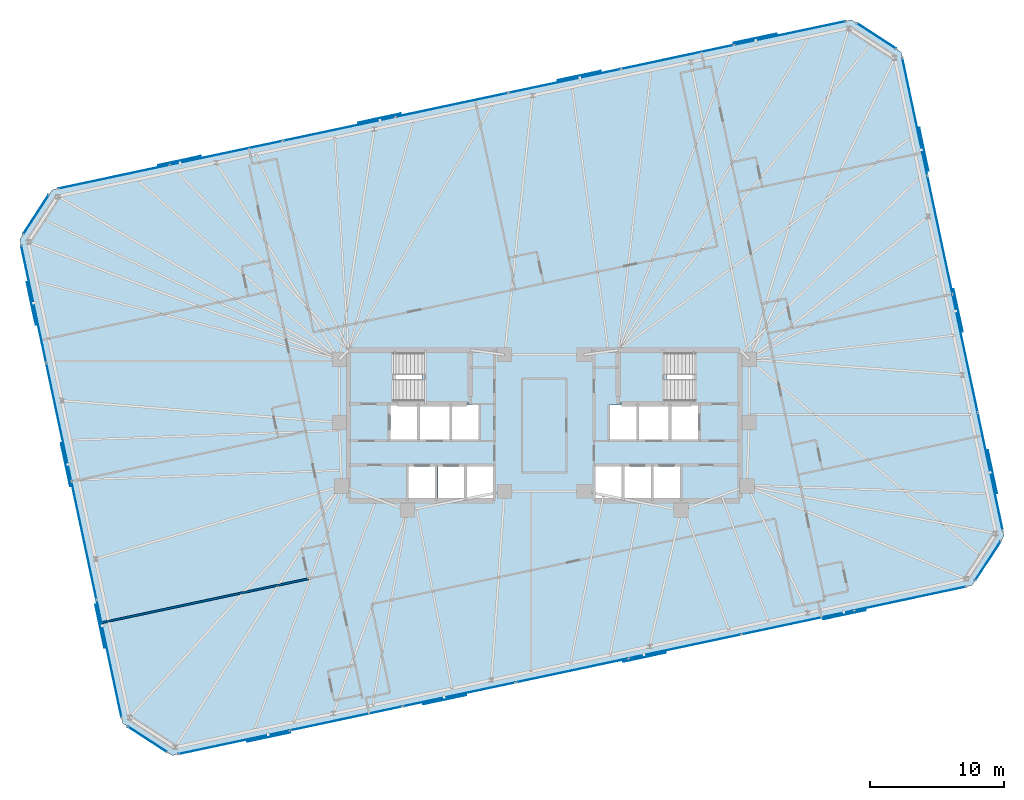
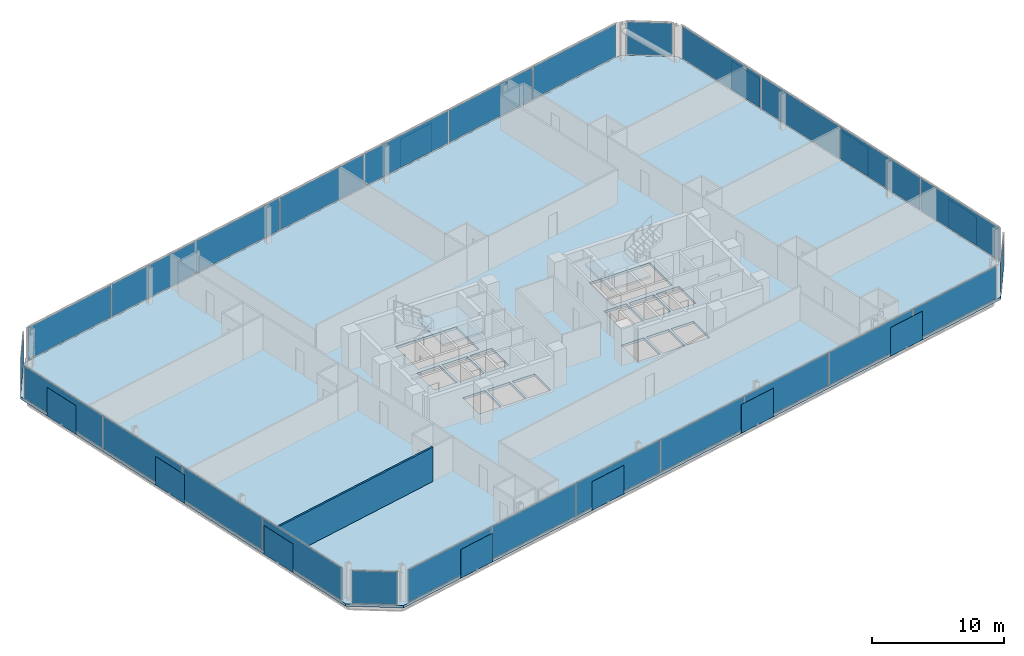
# One storey, part 13 of 19: 40 plates, 3 slabs, 1 wall, 10 elements without a shape of their own.
"""IFC4 building model written with IfcOpenShell, lengths in metres."""

from ifc_helpers import new_model, si_unit, direction, frame, frame_2d, origin, origin_2d, place, context, subcontext, project, spatial, polyline, rectangle, outline, extrude, material, layer, layer_set, type_object, element, aggregate, save


model = new_model("IFC4")

# Units and contexts
model_context = context("Model", 3, precision=1e-05, world=origin(), true_north=direction((0.0, 1.0)))
body_context = subcontext(model_context, "Body", "Model", "MODEL_VIEW")
ifc_project = project(units=[si_unit("LENGTHUNIT", "METRE"), si_unit("AREAUNIT", "SQUARE_METRE"), si_unit("VOLUMEUNIT", "CUBIC_METRE"), si_unit("PLANEANGLEUNIT", "RADIAN"), si_unit("MASSUNIT", "GRAM", prefix="KILO")], contexts=[model_context])

# Site, building, storey
site_placement = place(None, origin())
site = spatial("IfcSite", under=ifc_project, at=site_placement, CompositionType="ELEMENT")
building_placement = place(site_placement, origin())
building = spatial("IfcBuilding", under=site, at=building_placement, Name="Menara Jurai Vektor", CompositionType="ELEMENT")
storey_placement = place(building_placement, frame((0.0, 0.0, 171.800048828125)))
storey = spatial("IfcBuildingStorey", under=building, at=storey_placement, Name="L44", CompositionType="ELEMENT", Elevation=171.800048828125)

# Curtain wall, plates
ifc_material_1 = material(Name="Anodised Pale Aluminium & Low-E Double Glazing", Category="aluminium")
curtain_wall_type = type_object("IfcCurtainWallType", Name="CW-BLK3", PredefinedType="NOTDEFINED", material=ifc_material_1)
curtain_wall_1_placement = place(storey_placement, origin())
curtain_wall_1 = element("IfcCurtainWall", 1, at=curtain_wall_1_placement, inside=storey, type_object=curtain_wall_type, Name="Unitised Curtain Wall L44 F01", PredefinedType="NOTDEFINED")
ifc_material_2 = material(Name="Low-E Solar-Control Double Glazed Unit", Category="glass")
ifc_layer_1 = layer(ifc_material_2, 0.031982421875)
ifc_layer_set_1 = layer_set([ifc_layer_1], Name="Low-E Solar-Control Double Glazed Unit")
plate_type_1 = type_object("IfcPlateType", Name="CW-BLK3-PNL", PredefinedType="CURTAIN_PANEL", material=ifc_layer_set_1)
plate_1_placement = place(storey_placement, frame((-23.078369140625, -23.57568359375, 0.0849609375), z_axis=(0.0, 0.0, 1.0), x_axis=(0.978147674419, 0.207911344156, 0.0)))
plate_1 = element("IfcPlate", 2, at=plate_1_placement, type_object=plate_type_1, Name="CW-03 panel 1.1", PredefinedType="CURTAIN_PANEL", context=body_context, shape_type="SweptSolid", body=[
    extrude(rectangle(XDim=8.44970703125, YDim=0.031982421875, at=origin_2d()), origin(), (0.0, 0.0, 1.0), 3.0048828125),
])
plate_2_placement = place(storey_placement, frame((-14.709228515625, -21.796875, 0.0849609375), z_axis=(0.0, 0.0, 1.0), x_axis=(0.978147674419, 0.207911344156, 0.0)))
plate_2 = element("IfcPlate", 3, at=plate_2_placement, type_object=plate_type_1, Name="CW-03 panel 2.1", PredefinedType="CURTAIN_PANEL", context=body_context, shape_type="SweptSolid", body=[
    extrude(rectangle(XDim=8.4921875, YDim=0.031982421875, at=origin_2d()), origin(), (0.0, 0.0, 1.0), 3.0048828125),
])
plate_3_placement = place(storey_placement, frame((-6.319580078125, -20.013427734375, 0.0849609375), z_axis=(0.0, 0.0, 1.0), x_axis=(0.978147674419, 0.207911344156, 0.0)))
plate_3 = element("IfcPlate", 4, at=plate_3_placement, type_object=plate_type_1, Name="CW-03 panel 3.1", PredefinedType="CURTAIN_PANEL", context=body_context, shape_type="SweptSolid", body=[
    extrude(rectangle(XDim=8.4921875, YDim=0.031982421875, at=origin_2d()), origin(), (0.0, 0.0, 1.0), 3.0048828125),
])
plate_4_placement = place(storey_placement, frame((2.070068359375, -18.230224609375, 0.0849609375), z_axis=(0.0, 0.0, 1.0), x_axis=(0.978147674419, 0.207911344156, 0.0)))
plate_4 = element("IfcPlate", 5, at=plate_4_placement, type_object=plate_type_1, Name="CW-03 panel 4.1", PredefinedType="CURTAIN_PANEL", context=body_context, shape_type="SweptSolid", body=[
    extrude(rectangle(XDim=8.4921875, YDim=0.031982421875, at=origin_2d()), origin(), (0.0, 0.0, 1.0), 3.0048828125),
])
plate_5_placement = place(storey_placement, frame((10.459716796875, -16.447021484375, 0.0849609375), z_axis=(0.0, 0.0, 1.0), x_axis=(0.978147674419, 0.207911344156, 0.0)))
plate_5 = element("IfcPlate", 6, at=plate_5_placement, type_object=plate_type_1, Name="CW-03 panel 5.1", PredefinedType="CURTAIN_PANEL", context=body_context, shape_type="SweptSolid", body=[
    extrude(rectangle(XDim=8.4921875, YDim=0.031982421875, at=origin_2d()), origin(), (0.0, 0.0, 1.0), 3.0048828125),
])
plate_6_placement = place(storey_placement, frame((18.849609375, -14.66357421875, 0.0849609375), z_axis=(0.0, 0.0, 1.0), x_axis=(0.978147674419, 0.207911344156, 0.0)))
plate_6 = element("IfcPlate", 7, at=plate_6_placement, type_object=plate_type_1, Name="CW-03 panel 6.1", PredefinedType="CURTAIN_PANEL", context=body_context, shape_type="SweptSolid", body=[
    extrude(rectangle(XDim=8.4921875, YDim=0.031982421875, at=origin_2d()), origin(), (0.0, 0.0, 1.0), 3.0048828125),
])
plate_7_placement = place(storey_placement, frame((27.218505859375, -12.884765625, 0.0849609375), z_axis=(0.0, 0.0, 1.0), x_axis=(0.978147674419, 0.207911344156, 0.0)))
plate_7 = element("IfcPlate", 8, at=plate_7_placement, type_object=plate_type_1, Name="CW-03 panel 7.1", PredefinedType="CURTAIN_PANEL", context=body_context, shape_type="SweptSolid", body=[
    extrude(rectangle(XDim=8.44970703125, YDim=0.031982421875, at=origin_2d()), origin(), (0.0, 0.0, 1.0), 3.0048828125),
])
aggregate(curtain_wall_1, [plate_1, plate_2, plate_3, plate_4, plate_5, plate_6, plate_7])

curtain_wall_2_placement = place(storey_placement, origin())
curtain_wall_2 = element("IfcCurtainWall", 9, at=curtain_wall_2_placement, inside=storey, type_object=curtain_wall_type, Name="Unitised Curtain Wall L44 F03", PredefinedType="NOTDEFINED")
plate_8_placement = place(storey_placement, frame((33.17333984375, -3.433837890625, 0.0849609375), z_axis=(0.0, 0.0, 1.0), x_axis=(-0.20791035839, 0.978147883949, 0.0)))
plate_8 = element("IfcPlate", 10, at=plate_8_placement, type_object=plate_type_1, Name="CW-03 panel 1.1", PredefinedType="CURTAIN_PANEL", context=body_context, shape_type="SweptSolid", body=[
    extrude(rectangle(XDim=8.882568359375, YDim=0.031982421875, at=origin_2d()), origin(), (0.0, 0.0, 1.0), 3.0048828125),
])
plate_9_placement = place(storey_placement, frame((31.3046875, 5.3583984375, 0.0849609375), z_axis=(0.0, 0.0, 1.0), x_axis=(-0.20791035839, 0.978147883949, 0.0)))
plate_9 = element("IfcPlate", 11, at=plate_9_placement, type_object=plate_type_1, Name="CW-03 panel 2.1", PredefinedType="CURTAIN_PANEL", context=body_context, shape_type="SweptSolid", body=[
    extrude(rectangle(XDim=8.925048828125, YDim=0.031982421875, at=origin_2d()), origin(), (0.0, 0.0, 1.0), 3.0048828125),
])
plate_10_placement = place(storey_placement, frame((29.431396484375, 14.171630859375, 0.0849609375), z_axis=(0.0, 0.0, 1.0), x_axis=(-0.20791035839, 0.978147883949, 0.0)))
plate_10 = element("IfcPlate", 12, at=plate_10_placement, type_object=plate_type_1, Name="CW-03 panel 3.1", PredefinedType="CURTAIN_PANEL", context=body_context, shape_type="SweptSolid", body=[
    extrude(rectangle(XDim=8.925048828125, YDim=0.031982421875, at=origin_2d()), origin(), (0.0, 0.0, 1.0), 3.0048828125),
])
plate_11_placement = place(storey_placement, frame((27.5625, 22.9638671875, 0.0849609375), z_axis=(0.0, 0.0, 1.0), x_axis=(-0.20791035839, 0.978147883949, 0.0)))
plate_11 = element("IfcPlate", 13, at=plate_11_placement, type_object=plate_type_1, Name="CW-03 panel 4.1", PredefinedType="CURTAIN_PANEL", context=body_context, shape_type="SweptSolid", body=[
    extrude(rectangle(XDim=8.882568359375, YDim=0.031982421875, at=origin_2d()), origin(), (0.0, 0.0, 1.0), 3.0048828125),
])
aggregate(curtain_wall_2, [plate_8, plate_9, plate_10, plate_11])

curtain_wall_3_placement = place(storey_placement, origin())
curtain_wall_3 = element("IfcCurtainWall", 14, at=curtain_wall_3_placement, inside=storey, type_object=curtain_wall_type, Name="Unitised Curtain Wall L44 F05", PredefinedType="NOTDEFINED")
plate_12_placement = place(storey_placement, frame((18.2783203125, 29.175537109375, 0.0849609375), z_axis=(0.0, 0.0, 1.0), x_axis=(-0.978147674419, -0.207911344156, 0.0)))
plate_12 = element("IfcPlate", 15, at=plate_12_placement, type_object=plate_type_1, Name="CW-03 panel 1.1", PredefinedType="CURTAIN_PANEL", context=body_context, shape_type="SweptSolid", body=[
    extrude(rectangle(XDim=8.44970703125, YDim=0.031982421875, at=origin_2d()), origin(), (0.0, 0.0, 1.0), 3.0048828125),
])
plate_13_placement = place(storey_placement, frame((9.909423828125, 27.396728515625, 0.0849609375), z_axis=(0.0, 0.0, 1.0), x_axis=(-0.978147674419, -0.207911344156, 0.0)))
plate_13 = element("IfcPlate", 16, at=plate_13_placement, type_object=plate_type_1, Name="CW-03 panel 2.1", PredefinedType="CURTAIN_PANEL", context=body_context, shape_type="SweptSolid", body=[
    extrude(rectangle(XDim=8.4921875, YDim=0.031982421875, at=origin_2d()), origin(), (0.0, 0.0, 1.0), 3.0048828125),
])
plate_14_placement = place(storey_placement, frame((1.51953125, 25.613525390625, 0.0849609375), z_axis=(0.0, 0.0, 1.0), x_axis=(-0.978147674419, -0.207911344156, 0.0)))
plate_14 = element("IfcPlate", 17, at=plate_14_placement, type_object=plate_type_1, Name="CW-03 panel 3.1", PredefinedType="CURTAIN_PANEL", context=body_context, shape_type="SweptSolid", body=[
    extrude(rectangle(XDim=8.4921875, YDim=0.031982421875, at=origin_2d()), origin(), (0.0, 0.0, 1.0), 3.0048828125),
])
plate_15_placement = place(storey_placement, frame((-6.8701171875, 23.830078125, 0.0849609375), z_axis=(0.0, 0.0, 1.0), x_axis=(-0.978147674419, -0.207911344156, 0.0)))
plate_15 = element("IfcPlate", 18, at=plate_15_placement, type_object=plate_type_1, Name="CW-03 panel 4.1", PredefinedType="CURTAIN_PANEL", context=body_context, shape_type="SweptSolid", body=[
    extrude(rectangle(XDim=8.4921875, YDim=0.031982421875, at=origin_2d()), origin(), (0.0, 0.0, 1.0), 3.0048828125),
])
plate_16_placement = place(storey_placement, frame((-15.259765625, 22.046875, 0.0849609375), z_axis=(0.0, 0.0, 1.0), x_axis=(-0.978147674419, -0.207911344156, 0.0)))
plate_16 = element("IfcPlate", 19, at=plate_16_placement, type_object=plate_type_1, Name="CW-03 panel 5.1", PredefinedType="CURTAIN_PANEL", context=body_context, shape_type="SweptSolid", body=[
    extrude(rectangle(XDim=8.4921875, YDim=0.031982421875, at=origin_2d()), origin(), (0.0, 0.0, 1.0), 3.0048828125),
])
plate_17_placement = place(storey_placement, frame((-23.6494140625, 20.263671875, 0.0849609375), z_axis=(0.0, 0.0, 1.0), x_axis=(-0.978147674419, -0.207911344156, 0.0)))
plate_17 = element("IfcPlate", 20, at=plate_17_placement, type_object=plate_type_1, Name="CW-03 panel 6.1", PredefinedType="CURTAIN_PANEL", context=body_context, shape_type="SweptSolid", body=[
    extrude(rectangle(XDim=8.4921875, YDim=0.031982421875, at=origin_2d()), origin(), (0.0, 0.0, 1.0), 3.0048828125),
])
plate_18_placement = place(storey_placement, frame((-32.0185546875, 18.48486328125, 0.0849609375), z_axis=(0.0, 0.0, 1.0), x_axis=(-0.978147674419, -0.207911344156, 0.0)))
plate_18 = element("IfcPlate", 21, at=plate_18_placement, type_object=plate_type_1, Name="CW-03 panel 7.1", PredefinedType="CURTAIN_PANEL", context=body_context, shape_type="SweptSolid", body=[
    extrude(rectangle(XDim=8.44970703125, YDim=0.031982421875, at=origin_2d()), origin(), (0.0, 0.0, 1.0), 3.0048828125),
])
aggregate(curtain_wall_3, [plate_12, plate_13, plate_14, plate_15, plate_16, plate_17, plate_18])

curtain_wall_4_placement = place(storey_placement, origin())
curtain_wall_4 = element("IfcCurtainWall", 22, at=curtain_wall_4_placement, inside=storey, type_object=curtain_wall_type, Name="Unitised Curtain Wall L44 F07", PredefinedType="NOTDEFINED")
plate_19_placement = place(storey_placement, frame((-37.973388671875, 9.033935546875, 0.0849609375), z_axis=(0.0, 0.0, 1.0), x_axis=(0.20791035839, -0.978147883949, 0.0)))
plate_19 = element("IfcPlate", 23, at=plate_19_placement, type_object=plate_type_1, Name="CW-03 panel 1.1", PredefinedType="CURTAIN_PANEL", context=body_context, shape_type="SweptSolid", body=[
    extrude(rectangle(XDim=8.882568359375, YDim=0.031982421875, at=origin_2d()), origin(), (0.0, 0.0, 1.0), 3.0048828125),
])
plate_20_placement = place(storey_placement, frame((-36.1044921875, 0.241455078125, 0.0849609375), z_axis=(0.0, 0.0, 1.0), x_axis=(0.20791035839, -0.978147883949, 0.0)))
plate_20 = element("IfcPlate", 24, at=plate_20_placement, type_object=plate_type_1, Name="CW-03 panel 2.1", PredefinedType="CURTAIN_PANEL", context=body_context, shape_type="SweptSolid", body=[
    extrude(rectangle(XDim=8.925048828125, YDim=0.031982421875, at=origin_2d()), origin(), (0.0, 0.0, 1.0), 3.0048828125),
])
plate_21_placement = place(storey_placement, frame((-34.231201171875, -8.571533203125, 0.0849609375), z_axis=(0.0, 0.0, 1.0), x_axis=(0.20791035839, -0.978147883949, 0.0)))
plate_21 = element("IfcPlate", 25, at=plate_21_placement, type_object=plate_type_1, Name="CW-03 panel 3.1", PredefinedType="CURTAIN_PANEL", context=body_context, shape_type="SweptSolid", body=[
    extrude(rectangle(XDim=8.925048828125, YDim=0.031982421875, at=origin_2d()), origin(), (0.0, 0.0, 1.0), 3.0048828125),
])
plate_22_placement = place(storey_placement, frame((-32.362548828125, -17.364013671875, 0.0849609375), z_axis=(0.0, 0.0, 1.0), x_axis=(0.20791035839, -0.978147883949, 0.0)))
plate_22 = element("IfcPlate", 26, at=plate_22_placement, type_object=plate_type_1, Name="CW-03 panel 4.1", PredefinedType="CURTAIN_PANEL", context=body_context, shape_type="SweptSolid", body=[
    extrude(rectangle(XDim=8.882568359375, YDim=0.031982421875, at=origin_2d()), origin(), (0.0, 0.0, 1.0), 3.0048828125),
])
aggregate(curtain_wall_4, [plate_19, plate_20, plate_21, plate_22])

# Curtain wall, plate
curtain_wall_5_placement = place(storey_placement, origin())
curtain_wall_5 = element("IfcCurtainWall", 27, at=curtain_wall_5_placement, inside=storey, type_object=curtain_wall_type, Name="Unitised Curtain Wall L44 F02", PredefinedType="NOTDEFINED")
ifc_material_3 = material(Name="Insulated Pale Aluminium Spandrel Panel", Category="aluminium")
ifc_layer_2 = layer(ifc_material_3, 0.06005859375)
ifc_layer_set_2 = layer_set([ifc_layer_2], Name="Insulated Pale Aluminium Spandrel Panel")
plate_type_2 = type_object("IfcPlateType", Name="CW-PNL-SP", PredefinedType="CURTAIN_PANEL", material=ifc_layer_set_2)
plate_23_placement = place(storey_placement, frame((32.999755859375, -10.0712890625, 0.0849609375), z_axis=(0.0, 0.0, 1.0), x_axis=(0.544617794346, 0.838684361415, 0.0)))
plate_23 = element("IfcPlate", 28, at=plate_23_placement, type_object=plate_type_2, Name="CW-03 panel 1.1", PredefinedType="CURTAIN_PANEL", context=body_context, shape_type="SweptSolid", body=[
    extrude(rectangle(XDim=3.4541015625, YDim=0.06005859375, at=origin_2d()), origin(), (0.0, 0.0, 1.0), 3.0048828125),
])
aggregate(curtain_wall_5, [plate_23])

curtain_wall_6_placement = place(storey_placement, origin())
curtain_wall_6 = element("IfcCurtainWall", 29, at=curtain_wall_6_placement, inside=storey, type_object=curtain_wall_type, Name="Unitised Curtain Wall L44 F04", PredefinedType="NOTDEFINED")
plate_24_placement = place(storey_placement, frame((24.7041015625, 28.956787109375, 0.0849609375), z_axis=(0.0, 0.0, 1.0), x_axis=(-0.838684361415, 0.544617794346, 0.0)))
plate_24 = element("IfcPlate", 30, at=plate_24_placement, type_object=plate_type_2, Name="CW-03 panel 1.1", PredefinedType="CURTAIN_PANEL", context=body_context, shape_type="SweptSolid", body=[
    extrude(rectangle(XDim=3.4541015625, YDim=0.06005859375, at=origin_2d()), origin(), (0.0, 0.0, 1.0), 3.0048828125),
])
aggregate(curtain_wall_6, [plate_24])

curtain_wall_7_placement = place(storey_placement, origin())
curtain_wall_7 = element("IfcCurtainWall", 31, at=curtain_wall_7_placement, inside=storey, type_object=curtain_wall_type, Name="Unitised Curtain Wall L44 F06", PredefinedType="NOTDEFINED")
plate_25_placement = place(storey_placement, frame((-37.799560546875, 15.67138671875, 0.0849609375), z_axis=(0.0, 0.0, 1.0), x_axis=(-0.544617794346, -0.838684361415, 0.0)))
plate_25 = element("IfcPlate", 32, at=plate_25_placement, type_object=plate_type_2, Name="CW-03 panel 1.1", PredefinedType="CURTAIN_PANEL", context=body_context, shape_type="SweptSolid", body=[
    extrude(rectangle(XDim=3.4541015625, YDim=0.06005859375, at=origin_2d()), origin(), (0.0, 0.0, 1.0), 3.0048828125),
])
aggregate(curtain_wall_7, [plate_25])

curtain_wall_8_placement = place(storey_placement, origin())
curtain_wall_8 = element("IfcCurtainWall", 33, at=curtain_wall_8_placement, inside=storey, type_object=curtain_wall_type, Name="Unitised Curtain Wall L44 F08", PredefinedType="NOTDEFINED")
plate_26_placement = place(storey_placement, frame((-29.50390625, -23.35693359375, 0.0849609375), z_axis=(0.0, 0.0, 1.0), x_axis=(0.838684361415, -0.544617794346, 0.0)))
plate_26 = element("IfcPlate", 34, at=plate_26_placement, type_object=plate_type_2, Name="CW-03 panel 1.1", PredefinedType="CURTAIN_PANEL", context=body_context, shape_type="SweptSolid", body=[
    extrude(rectangle(XDim=3.4541015625, YDim=0.06005859375, at=origin_2d()), origin(), (0.0, 0.0, 1.0), 3.0048828125),
])
aggregate(curtain_wall_8, [plate_26])

# Plates
ifc_material_4 = material(Name="Anodised Pale Aluminium Perforated Screen", Category="aluminium")
ifc_layer_3 = layer(ifc_material_4, 0.02294921875)
ifc_layer_set_3 = layer_set([ifc_layer_3], Name="Anodised Pale Aluminium Perforated Screen")
plate_type_3 = type_object("IfcPlateType", Name="ENV-PLT-SCREEN-MID", PredefinedType="USERDEFINED", material=ifc_layer_set_3)
for number, where, z_axis, x_axis, name in (
    (35, (-20.495849609375, -23.190185546875, -0.050048828125), (0.0, 0.0, 1.0), (0.978147600734, 0.207911690818, 0.0), "Perforated Pale-Metal Solar Screen L44-S01"),
    (36, (-7.412109375, -20.4091796875, -0.050048828125), (0.0, 0.0, 1.0), (0.978147600734, 0.207911690818, 0.0), "Perforated Pale-Metal Solar Screen L44-S02"),
    (37, (7.455810546875, -17.2490234375, -0.050048828125), (0.0, 0.0, 1.0), (0.978147600734, 0.207911690818, 0.0), "Perforated Pale-Metal Solar Screen L44-S03"),
    (38, (22.323486328125, -14.0888671875, -0.050048828125), (0.0, 0.0, 1.0), (0.978147600734, 0.207911690818, 0.0), "Perforated Pale-Metal Solar Screen L44-S04"),
    (39, (33.342529296875, -3.460205078125, -0.050048828125), (0.0, 0.0, 1.0), (-0.207911690818, 0.978147600734, 0.0), "Perforated Pale-Metal Solar Screen L44-S05"),
    (40, (30.792236328125, 8.53857421875, -0.050048828125), (0.0, 0.0, 1.0), (-0.207911690818, 0.978147600734, 0.0), "Perforated Pale-Metal Solar Screen L44-S06"),
    (41, (28.241943359375, 20.537109375, -0.050048828125), (0.0, 0.0, 1.0), (-0.207911690818, 0.978147600734, 0.0), "Perforated Pale-Metal Solar Screen L44-S07"),
    (42, (15.69580078125, 28.790283203125, -0.050048828125), (0.0, 0.0, 1.0), (-0.978147600734, -0.207911690818, 0.0), "Perforated Pale-Metal Solar Screen L44-S08"),
    (43, (2.612060546875, 26.00927734375, -0.050048828125), (0.0, 0.0, 1.0), (-0.978147600734, -0.207911690818, 0.0), "Perforated Pale-Metal Solar Screen L44-S09"),
    (44, (-12.255859375, 22.84912109375, -0.050048828125), (0.0, 0.0, 1.0), (-0.978147600734, -0.207911690818, 0.0), "Perforated Pale-Metal Solar Screen L44-S10"),
    (45, (-27.12353515625, 19.688720703125, -0.050048828125), (0.0, 0.0, 1.0), (-0.978147600734, -0.207911690818, 0.0), "Perforated Pale-Metal Solar Screen L44-S11"),
    (46, (-38.142578125, 9.060302734375, -0.050048828125), (0.0, 0.0, 1.0), (0.207911690818, -0.978147600734, 0.0), "Perforated Pale-Metal Solar Screen L44-S12"),
    (47, (-35.59228515625, -2.9384765625, -0.050048828125), (0.0, 0.0, 1.0), (0.207911690818, -0.978147600734, 0.0), "Perforated Pale-Metal Solar Screen L44-S13"),
    (48, (-33.0419921875, -14.93701171875, -0.050048828125), (0.0, 0.0, 1.0), (0.207911690818, -0.978147600734, 0.0), "Perforated Pale-Metal Solar Screen L44-S14"),
):
    element("IfcPlate", number, at=place(storey_placement, frame(where, z_axis=z_axis, x_axis=x_axis)), inside=storey, type_object=plate_type_3, Name=name, ObjectType="SCREEN", PredefinedType="USERDEFINED", context=body_context, shape_type="SweptSolid", body=[
        extrude(rectangle(XDim=3.25, YDim=0.02294921875, at=origin_2d()), origin(), (0.0, 0.0, 1.0), 2.64990234375),
    ])

# Stair, slab
ifc_material_5 = material(Name="Concrete C40/50", Category="concrete")
stair_type = type_object("IfcStairType", Name="STAIR-DOGLEG-1500", PredefinedType="HALF_TURN_STAIR", material=ifc_material_5)
stair_1_placement = place(storey_placement, origin())
stair_1 = element("IfcStair", 49, at=stair_1_placement, inside=storey, type_object=stair_type, Name="Protected Exit Stair ST1 L44", PredefinedType="HALF_TURN_STAIR")
ifc_layer_4 = layer(ifc_material_5, 0.199951171875)
ifc_layer_set_4 = layer_set([ifc_layer_4], Name="Concrete C40/50")
slab_type_1 = type_object("IfcSlabType", Name="STAIR-LANDING-200", PredefinedType="LANDING", material=ifc_layer_set_4)
slab_1_placement = place(storey_placement, frame((0.0, 0.0, 1.5)))
slab_1 = element("IfcSlab", 50, at=slab_1_placement, type_object=slab_type_1, Name="ST1 landing 1", PredefinedType="LANDING", context=body_context, shape_type="SweptSolid", body=[
    extrude(outline(polyline([(-9.080078125, 1.64990234375), (-5.550048828125, 1.64990234375), (-5.550048828125, 5.550048828125), (-9.080078125, 5.550048828125), (-9.080078125, 1.64990234375)])), origin(), (0.0, 0.0, 1.0), 0.199951171875),
])
aggregate(stair_1, [slab_1])

stair_2_placement = place(storey_placement, origin())
stair_2 = element("IfcStair", 51, at=stair_2_placement, inside=storey, type_object=stair_type, Name="Protected Exit Stair ST2 L44", PredefinedType="HALF_TURN_STAIR")
slab_2_placement = place(storey_placement, frame((0.0, 0.0, 1.5)))
slab_2 = element("IfcSlab", 52, at=slab_2_placement, type_object=slab_type_1, Name="ST2 landing 1", PredefinedType="LANDING", context=body_context, shape_type="SweptSolid", body=[
    extrude(outline(polyline([(5.550048828125, 1.64990234375), (9.080078125, 1.64990234375), (9.080078125, 5.550048828125), (5.550048828125, 5.550048828125), (5.550048828125, 1.64990234375)])), origin(), (0.0, 0.0, 1.0), 0.199951171875),
])
aggregate(stair_2, [slab_2])

# Slab
ifc_layer_5 = layer(ifc_material_5, 0.22509765625)
ifc_layer_set_5 = layer_set([ifc_layer_5], Name="Concrete C40/50")
slab_type_2 = type_object("IfcSlabType", Name="STR-SLAB-TYP200", PredefinedType="FLOOR", material=ifc_layer_set_5)
slab_3_placement = place(storey_placement, frame((0.0, 0.0, -0.22509765625)))
element("IfcSlab", 53, at=slab_3_placement, inside=storey, type_object=slab_type_2, Name="Composite Floor Slab L44", PredefinedType="FLOOR", context=body_context, shape_type="SweptSolid", body=[
    extrude(outline(polyline([(-27.66552734375, -24.55078125), (31.805908203125, -11.90966796875), (34.193603515625, -8.23291015625), (26.54248046875, 27.762939453125), (22.865478515625, 30.150634765625), (-36.605712890625, 17.509765625), (-38.993408203125, 13.8330078125), (-31.34228515625, -22.1630859375), (-27.66552734375, -24.55078125)]), holes=[polyline([(-11.10009765625, 1.89990234375), (-11.10009765625, 5.300048828125), (-5.800048828125, 5.300048828125), (-5.800048828125, 1.89990234375), (-11.10009765625, 1.89990234375)]), polyline([(5.800048828125, 1.89990234375), (5.800048828125, 5.300048828125), (11.10009765625, 5.300048828125), (11.10009765625, 1.89990234375), (5.800048828125, 1.89990234375)]), polyline([(-11.449951171875, -1.050048828125), (-11.449951171875, 1.5), (-9.449951171875, 1.5), (-9.449951171875, -1.050048828125), (-11.449951171875, -1.050048828125)]), polyline([(9.449951171875, -1.050048828125), (9.449951171875, 1.5), (11.449951171875, 1.5), (11.449951171875, -1.050048828125), (9.449951171875, -1.050048828125)]), polyline([(-5.760009765625, -5.5), (-5.760009765625, -3.050048828125), (-3.800048828125, -3.050048828125), (-3.800048828125, -5.5), (-5.760009765625, -5.5)]), polyline([(-6.85009765625, -1.050048828125), (-6.85009765625, 1.5), (-4.889892578125, 1.5), (-4.889892578125, -1.050048828125), (-6.85009765625, -1.050048828125)]), polyline([(3.800048828125, -5.5), (3.800048828125, -3.050048828125), (5.760009765625, -3.050048828125), (5.760009765625, -5.5), (3.800048828125, -5.5)]), polyline([(4.889892578125, -1.050048828125), (4.889892578125, 1.5), (6.85009765625, 1.5), (6.85009765625, -1.050048828125), (4.889892578125, -1.050048828125)]), polyline([(-10.080078125, -5.5), (-10.080078125, -3.050048828125), (-8.1201171875, -3.050048828125), (-8.1201171875, -5.5), (-10.080078125, -5.5)]), polyline([(-7.919921875, -5.5), (-7.919921875, -3.050048828125), (-5.9599609375, -3.050048828125), (-5.9599609375, -5.5), (-7.919921875, -5.5)]), polyline([(5.9599609375, -5.5), (5.9599609375, -3.050048828125), (7.919921875, -3.050048828125), (7.919921875, -5.5), (5.9599609375, -5.5)]), polyline([(8.1201171875, -5.5), (8.1201171875, -3.050048828125), (10.080078125, -3.050048828125), (10.080078125, -5.5), (8.1201171875, -5.5)]), polyline([(-9.25, -1.050048828125), (-9.25, 1.5), (-7.050048828125, 1.5), (-7.050048828125, -1.050048828125), (-9.25, -1.050048828125)]), polyline([(7.050048828125, -1.050048828125), (7.050048828125, 1.5), (9.25, 1.5), (9.25, -1.050048828125), (7.050048828125, -1.050048828125)])]), origin(), (0.0, 0.0, 1.0), 0.22509765625),
])

# Wall
ifc_material_6 = material(Name="Gypsum Fireboard Partition", Category="gypsum")
ifc_layer_6 = layer(ifc_material_6, 0.14990234375)
ifc_layer_set_6 = layer_set([ifc_layer_6], Name="Gypsum Fireboard Partition")
wall_type = type_object("IfcWallType", Name="INT-WALL-CORR-150", PredefinedType="PARTITIONING", material=ifc_layer_set_6)
wall_placement = place(storey_placement, frame((-32.932861328125, -14.68017578125, 0.0), z_axis=(0.0, 0.0, 1.0), x_axis=(0.978146137903, 0.207918572776, 0.0)))
element("IfcWall", 54, at=wall_placement, inside=storey, type_object=wall_type, Name="Interior Wall IW-150 L44", PredefinedType="PARTITIONING", context=body_context, shape_type="SweptSolid", body=[
    extrude(rectangle(XDim=15.718017578125, YDim=0.14990234375, at=frame_2d((7.85888671875, 0.0))), origin(), (0.0, 0.0, 1.0), 3.175048828125),
])

save(model, "model.ifc")
